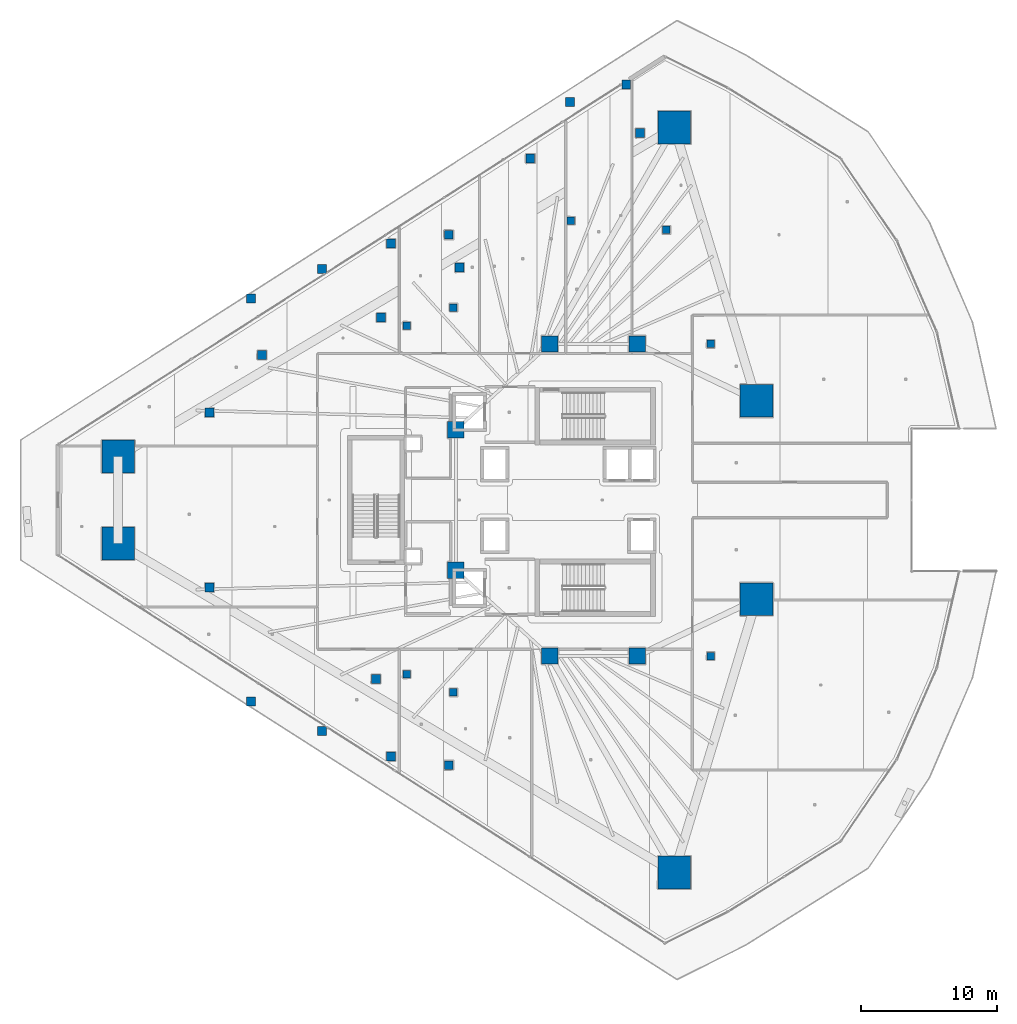
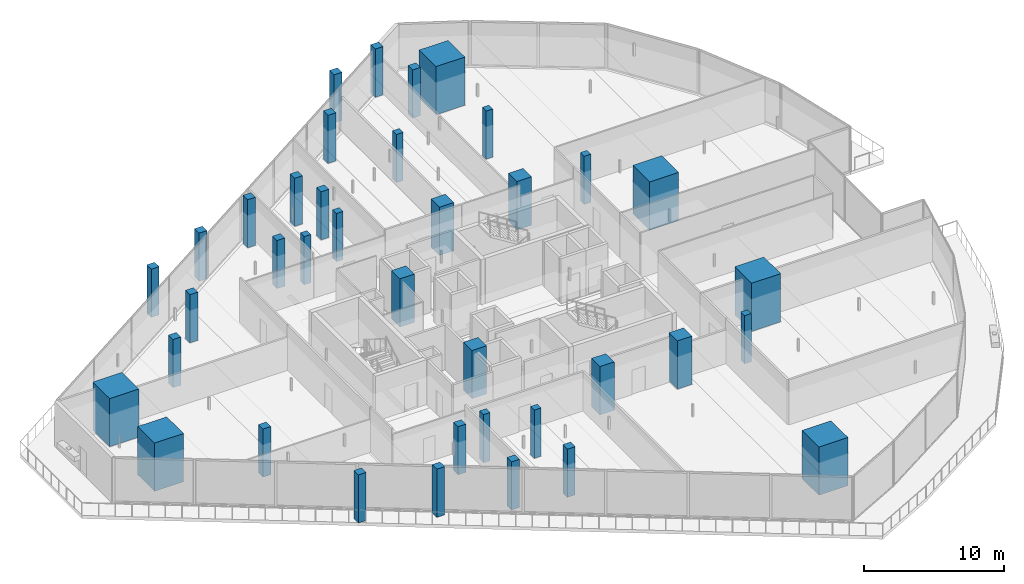
# One storey, part 1 of 44: 38 columns.
"""IFC4 building model written with IfcOpenShell, lengths in metres."""

from ifc_helpers import new_model, si_unit, direction, frame, origin, origin_2d, place, context, subcontext, project, spatial, rectangle, extrude, material, material_profile, profile_set, type_object, element, save


model = new_model("IFC4")

# Units and contexts
model_context = context("Model", 3, precision=1e-05, world=origin(), true_north=direction((0.0, 1.0)))
body_context = subcontext(model_context, "Body", "Model", "MODEL_VIEW")
ifc_project = project(units=[si_unit("LENGTHUNIT", "METRE"), si_unit("AREAUNIT", "SQUARE_METRE"), si_unit("VOLUMEUNIT", "CUBIC_METRE"), si_unit("PLANEANGLEUNIT", "RADIAN"), si_unit("MASSUNIT", "GRAM", prefix="KILO")], contexts=[model_context])

# Site, building, storey
site_placement = place(None, origin())
site = spatial("IfcSite", under=ifc_project, at=site_placement, CompositionType="ELEMENT")
building_placement = place(site_placement, origin())
building = spatial("IfcBuilding", under=site, at=building_placement, Name="Qorvath Tower", CompositionType="ELEMENT")
storey_placement = place(building_placement, frame((0.0, 0.0, 70.199951171875)))
storey = spatial("IfcBuildingStorey", under=building, at=storey_placement, Name="L15", CompositionType="ELEMENT", Elevation=70.199951171875)

# Columns
ifc_material_1 = material(Name="Concrete C70/85", Category="concrete")
ifc_material_profile_1 = material_profile(ifc_material_1, rectangle(XDim=2.39990234375, YDim=2.39990234375, at=origin_2d()), Name="MC 2400x2400")
ifc_profile_set_1 = profile_set([ifc_material_profile_1], Name="Concrete C70/85")
column_type_1 = type_object("IfcColumnType", Name="COL-MC1", PredefinedType="COLUMN", material=ifc_profile_set_1)
for number, where, z_axis, x_axis, name in (
    (1, (-55.282958984375, 3.194580078125, 0.0), (0.0, 0.0, 1.0), (1.0, 0.0, 0.0), "Composite Mega-Column MC1 L15"),
    (2, (-55.282958984375, -3.194580078125, 0.0), (0.0, 0.0, 1.0), (1.0, 0.0, 0.0), "Composite Mega-Column MC2 L15"),
    (3, (-14.46435546875, -27.330810546875, 0.0), (0.0, 0.0, 1.0), (1.0, 0.0, 0.0), "Composite Mega-Column MC3 L15"),
    (4, (-8.430419921875, -7.2763671875, 0.0), (0.0, 0.0, 1.0), (1.0, 0.0, 0.0), "Composite Mega-Column MC4 L15"),
    (5, (-8.430419921875, 7.2763671875, 0.0), (0.0, 0.0, 1.0), (1.0, 0.0, 0.0), "Composite Mega-Column MC5 L15"),
    (6, (-14.46435546875, 27.330810546875, 0.0), (0.0, 0.0, 1.0), (1.0, 0.0, 0.0), "Composite Mega-Column MC6 L15"),
):
    element("IfcColumn", number, at=place(storey_placement, frame(where, z_axis=z_axis, x_axis=x_axis)), inside=storey, type_object=column_type_1, Name=name, PredefinedType="COLUMN", context=body_context, shape_type="SweptSolid", body=[
        extrude(rectangle(XDim=2.39990234375, YDim=2.39990234375, at=origin_2d()), origin(), (0.0, 0.0, 1.0), 4.199951171875),
    ])
ifc_material_2 = material(Name="Concrete C60/75", Category="concrete")
ifc_material_profile_2 = material_profile(ifc_material_2, rectangle(XDim=1.199951171875, YDim=1.199951171875, at=origin_2d()), Name="RC 1200x1200")
ifc_profile_set_2 = profile_set([ifc_material_profile_2], Name="Concrete C60/75")
column_type_2 = type_object("IfcColumnType", Name="COL-RC1", PredefinedType="COLUMN", material=ifc_profile_set_2)
for number, where, z_axis, x_axis, name in (
    (7, (-23.60009765625, 11.449951171875, 0.0), (0.0, 0.0, 1.0), (1.0, 0.0, 0.0), "Core Spine Column CC1 L15"),
    (8, (-17.199951171875, 11.449951171875, 0.0), (0.0, 0.0, 1.0), (1.0, 0.0, 0.0), "Core Spine Column CC2 L15"),
    (9, (-17.199951171875, -11.449951171875, 0.0), (0.0, 0.0, 1.0), (1.0, 0.0, 0.0), "Core Spine Column CC3 L15"),
    (10, (-23.60009765625, -11.449951171875, 0.0), (0.0, 0.0, 1.0), (1.0, 0.0, 0.0), "Core Spine Column CC4 L15"),
    (11, (-30.5, 5.14990234375, 0.0), (0.0, 0.0, 1.0), (1.0, 0.0, 0.0), "Core Spine Column CC5 L15"),
    (12, (-30.5, -5.14990234375, 0.0), (0.0, 0.0, 1.0), (1.0, 0.0, 0.0), "Core Spine Column CC6 L15"),
):
    element("IfcColumn", number, at=place(storey_placement, frame(where, z_axis=z_axis, x_axis=x_axis)), inside=storey, type_object=column_type_2, Name=name, PredefinedType="COLUMN", context=body_context, shape_type="SweptSolid", body=[
        extrude(rectangle(XDim=1.199951171875, YDim=1.199951171875, at=origin_2d()), origin(), (0.0, 0.0, 1.0), 4.199951171875),
    ])
ifc_material_3 = material(Name="Concrete C45/55", Category="concrete")
ifc_material_profile_3 = material_profile(ifc_material_3, rectangle(XDim=0.64990234375, YDim=0.64990234375, at=origin_2d()), Name="RC 650x650")
ifc_profile_set_3 = profile_set([ifc_material_profile_3], Name="Concrete C45/55")
column_type_3 = type_object("IfcColumnType", Name="COL-RC6", PredefinedType="COLUMN", material=ifc_profile_set_3)
for number, where, z_axis, x_axis, name in (
    (13, (-45.536376953125, 14.774658203125, 0.0), (0.0, 0.0, 1.0), (1.0, 0.0, 0.0), "Loggia Frame Pier Column LGA1 L15"),
    (14, (-45.536376953125, -14.774658203125, 0.0), (0.0, 0.0, 1.0), (1.0, 0.0, 0.0), "Loggia Frame Pier Column LGA2 L15"),
    (15, (-22.13134765625, 29.20556640625, 0.0), (0.0, 0.0, 1.0), (1.0, 0.0, 0.0), "Loggia Frame Pier Column LGA3 L15"),
    (16, (-40.33251953125, 16.955810546875, 0.0), (0.0, 0.0, 1.0), (1.0, 0.0, 0.0), "Loggia Frame Pier Column LGB1 L15"),
    (17, (-40.33251953125, -16.955810546875, 0.0), (0.0, 0.0, 1.0), (1.0, 0.0, 0.0), "Loggia Frame Pier Column LGB2 L15"),
    (18, (-18.0, 30.5, 0.0), (0.0, 0.0, 1.0), (1.0, 0.0, 0.0), "Loggia Frame Pier Column LGB3 L15"),
    (19, (-35.251708984375, 18.829345703125, 0.0), (0.0, 0.0, 1.0), (1.0, 0.0, 0.0), "Loggia Frame Pier Column LGC1 L15"),
    (20, (-35.251708984375, -18.829345703125, 0.0), (0.0, 0.0, 1.0), (1.0, 0.0, 0.0), "Loggia Frame Pier Column LGC2 L15"),
    (21, (-25.03759765625, 25.058837890625, 0.0), (0.0, 0.0, 1.0), (1.0, 0.0, 0.0), "Loggia Frame Pier Column LGC3 L15"),
    (22, (-31.01611328125, 19.46044921875, 0.0), (0.0, 0.0, 1.0), (1.0, 0.0, 0.0), "Loggia Frame Pier Column LGD1 L15"),
    (23, (-31.01611328125, -19.46044921875, 0.0), (0.0, 0.0, 1.0), (1.0, 0.0, 0.0), "Loggia Frame Pier Column LGD2 L15"),
    (24, (-44.736328125, 10.65234375, 0.0), (0.0, 0.0, 1.0), (1.0, 0.0, 0.0), "Loggia Frame Pier Column LGD3 L15"),
    (25, (-48.578369140625, 6.424560546875, 0.0), (0.0, 0.0, 1.0), (1.0, 0.0, 0.0), "Loggia Frame Pier Column LGE1 L15"),
    (26, (-48.578369140625, -6.424560546875, 0.0), (0.0, 0.0, 1.0), (1.0, 0.0, 0.0), "Loggia Frame Pier Column LGE2 L15"),
    (27, (-16.981201171875, 26.92919921875, 0.0), (0.0, 0.0, 1.0), (1.0, 0.0, 0.0), "Loggia Frame Pier Column LGE3 L15"),
    (28, (-35.980712890625, 13.380859375, 0.0), (0.0, 0.0, 1.0), (1.0, 0.0, 0.0), "Loggia Frame Pier Column LGF1 L15"),
    (29, (-36.36474609375, -13.135498046875, 0.0), (0.0, 0.0, 1.0), (1.0, 0.0, 0.0), "Loggia Frame Pier Column LGF2 L15"),
    (30, (-30.224853515625, 17.0595703125, 0.0), (0.0, 0.0, 1.0), (1.0, 0.0, 0.0), "Loggia Frame Pier Column LGF3 L15"),
):
    element("IfcColumn", number, at=place(storey_placement, frame(where, z_axis=z_axis, x_axis=x_axis)), inside=storey, type_object=column_type_3, Name=name, PredefinedType="COLUMN", context=body_context, shape_type="SweptSolid", body=[
        extrude(rectangle(XDim=0.64990234375, YDim=0.64990234375, at=origin_2d()), origin(), (0.0, 0.0, 1.0), 4.199951171875),
    ])
ifc_material_4 = material(Name="Concrete C45/55", Category="concrete")
ifc_material_profile_4 = material_profile(ifc_material_4, rectangle(XDim=0.550048828125, YDim=0.550048828125, at=origin_2d()), Name="RC 550x550")
ifc_profile_set_4 = profile_set([ifc_material_profile_4], Name="Concrete C45/55")
column_type_4 = type_object("IfcColumnType", Name="COL-RC7", PredefinedType="COLUMN", material=ifc_profile_set_4)
for number, where, z_axis, x_axis, name in (
    (31, (-34.104248046875, 12.79248046875, 0.0), (0.0, 0.0, 1.0), (1.0, 0.0, 0.0), "Loggia Frame Pier Column LGG1 L15"),
    (32, (-34.104248046875, -12.79248046875, 0.0), (0.0, 0.0, 1.0), (1.0, 0.0, 0.0), "Loggia Frame Pier Column LGG2 L15"),
    (33, (-22.05322265625, 20.494873046875, 0.0), (0.0, 0.0, 1.0), (1.0, 0.0, 0.0), "Loggia Frame Pier Column LGG3 L15"),
    (34, (-30.67724609375, 14.124267578125, 0.0), (0.0, 0.0, 1.0), (1.0, 0.0, 0.0), "Loggia Frame Pier Column LGH1 L15"),
    (35, (-30.67724609375, -14.124267578125, 0.0), (0.0, 0.0, 1.0), (1.0, 0.0, 0.0), "Loggia Frame Pier Column LGH2 L15"),
    (36, (-15.046142578125, 19.818115234375, 0.0), (0.0, 0.0, 1.0), (1.0, 0.0, 0.0), "Loggia Frame Pier Column LGH3 L15"),
    (37, (-11.800048828125, -11.449951171875, 0.0), (0.0, 0.0, 1.0), (1.0, 0.0, 0.0), "Central Slot Jamb Column SC1 L15"),
    (38, (-11.800048828125, 11.449951171875, 0.0), (0.0, 0.0, 1.0), (1.0, 0.0, 0.0), "Central Slot Jamb Column SC2 L15"),
):
    element("IfcColumn", number, at=place(storey_placement, frame(where, z_axis=z_axis, x_axis=x_axis)), inside=storey, type_object=column_type_4, Name=name, PredefinedType="COLUMN", context=body_context, shape_type="SweptSolid", body=[
        extrude(rectangle(XDim=0.550048828125, YDim=0.550048828125, at=origin_2d()), origin(), (0.0, 0.0, 1.0), 4.199951171875),
    ])

save(model, "model.ifc")
